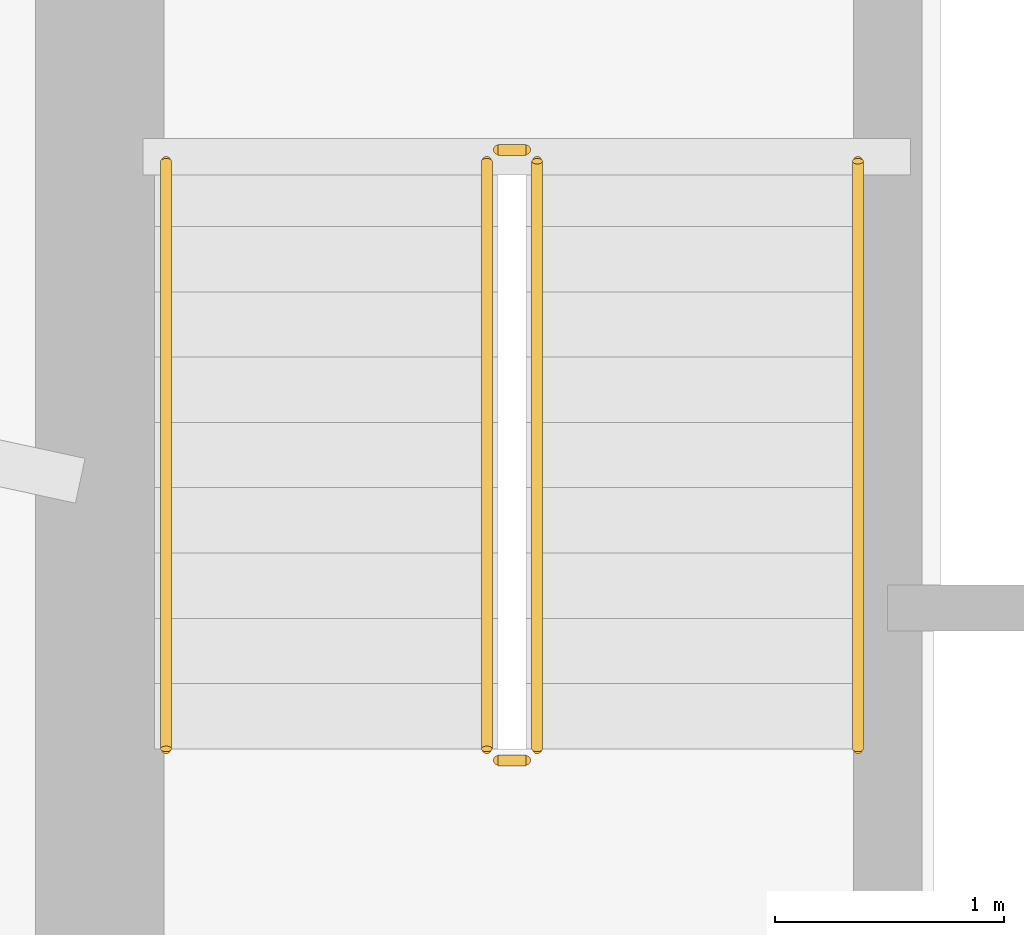
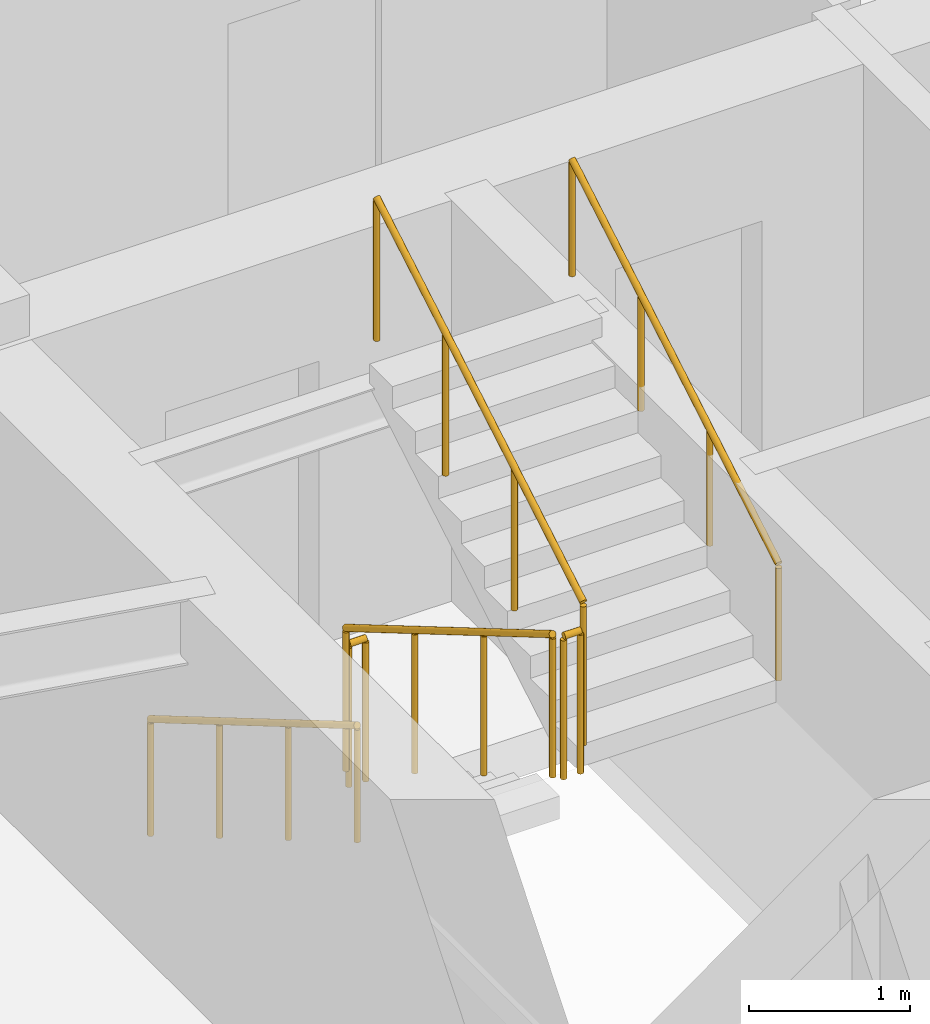
# One storey, part 20 of 22: 6 railings.
"""IFC4 building model written with IfcOpenShell, lengths in metres."""

from ifc_helpers import new_model, si_unit, direction, frame, origin, origin_2d, place, context, subcontext, project, spatial, circle, extrude, material, type_object, element, save


model = new_model("IFC4")

# Units and contexts
model_context = context("Model", 3, precision=1e-05, world=origin(), true_north=direction((0.0, 1.0)))
body_context = subcontext(model_context, "Body", "Model", "MODEL_VIEW")
ifc_project = project(units=[si_unit("LENGTHUNIT", "METRE"), si_unit("AREAUNIT", "SQUARE_METRE"), si_unit("VOLUMEUNIT", "CUBIC_METRE"), si_unit("PLANEANGLEUNIT", "RADIAN"), si_unit("MASSUNIT", "GRAM", prefix="KILO")], contexts=[model_context])

# Site, building, storey
site_placement = place(None, origin())
site = spatial("IfcSite", under=ifc_project, at=site_placement, CompositionType="ELEMENT")
building_placement = place(site_placement, origin())
building = spatial("IfcBuilding", under=site, at=building_placement, Name="Qobustan Lattice House", CompositionType="ELEMENT")
storey_placement = place(building_placement, frame((0.0, 0.0, 53.800048828125)))
storey = spatial("IfcBuildingStorey", under=building, at=storey_placement, Name="L14", CompositionType="ELEMENT", Elevation=53.800048828125)

# Railings
ifc_material_1 = material(Name="Brushed stainless steel handrail", Category="steel")
railing_type_1 = type_object("IfcRailingType", Name="RAL-HR-920", PredefinedType="HANDRAIL", material=ifc_material_1)
railing_1_placement = place(storey_placement, frame((-18.199951171875, 3.5, 0.16748046875)))
element("IfcRailing", 1, at=railing_1_placement, inside=storey, type_object=railing_type_1, Name="L14 ST-W1 stair handrail 1", PredefinedType="HANDRAIL", context=body_context, shape_type="SweptSolid", body=[
    extrude(circle(Radius=0.02392578125, at=origin_2d()), frame((0.0, 0.0, 0.8759765625), z_axis=(0.0, -0.862113467892, 0.50671527358), x_axis=(1.0, 0.0, 0.0)), (0.0, 0.0, 1.0), 2.97509765625),
    extrude(circle(Radius=0.02099609375, at=origin_2d()), origin(), (0.0, 0.0, 1.0), 0.851806640625),
    extrude(circle(Radius=0.02099609375, at=origin_2d()), frame((0.0, -0.85498046875, 0.50244140625)), (0.0, 0.0, 1.0), 0.851806640625),
    extrude(circle(Radius=0.02099609375, at=origin_2d()), frame((0.0, -1.7099609375, 1.005126953125)), (0.0, 0.0, 1.0), 0.851806640625),
    extrude(circle(Radius=0.02099609375, at=origin_2d()), frame((0.0, -2.56494140625, 1.507568359375)), (0.0, 0.0, 1.0), 0.851806640625),
])
railing_2_placement = place(storey_placement, frame((-15.179931640625, 0.93505859375, 1.842529296875)))
element("IfcRailing", 2, at=railing_2_placement, inside=storey, type_object=railing_type_1, Name="L14 ST-W1 stair handrail 2", PredefinedType="HANDRAIL", context=body_context, shape_type="SweptSolid", body=[
    extrude(circle(Radius=0.02392578125, at=origin_2d()), frame((0.0, 0.0, 0.8759765625), z_axis=(0.0, 0.862149314443, 0.506654280161), x_axis=(-1.0, 0.0, 0.0)), (0.0, 0.0, 1.0), 2.97509765625),
    extrude(circle(Radius=0.02099609375, at=origin_2d()), origin(), (0.0, 0.0, 1.0), 0.851806640625),
    extrude(circle(Radius=0.02099609375, at=origin_2d()), frame((0.0, 0.85498046875, 0.50244140625)), (0.0, 0.0, 1.0), 0.851806640625),
    extrude(circle(Radius=0.02099609375, at=origin_2d()), frame((0.0, 1.7099609375, 1.0048828125)), (0.0, 0.0, 1.0), 0.851806640625),
    extrude(circle(Radius=0.02099609375, at=origin_2d()), frame((0.0, 2.56494140625, 1.50732421875)), (0.0, 0.0, 1.0), 0.851806640625),
])
ifc_material_2 = material(Name="Painted galvanized steel guardrail", Category="steel")
railing_type_2 = type_object("IfcRailingType", Name="RAL-STG-1150", PredefinedType="GUARDRAIL", material=ifc_material_2)
railing_3_placement = place(storey_placement, frame((-16.800048828125, 3.5, 0.16748046875)))
element("IfcRailing", 3, at=railing_3_placement, inside=storey, type_object=railing_type_2, Name="L14 ST-W1 stair guard 1", PredefinedType="GUARDRAIL", context=body_context, shape_type="SweptSolid", body=[
    extrude(circle(Radius=0.02392578125, at=origin_2d()), frame((0.0, 0.0, 1.076171875), z_axis=(0.0, -0.862113467892, 0.50671527358), x_axis=(1.0, 0.0, 0.0)), (0.0, 0.0, 1.0), 2.97509765625),
    extrude(circle(Radius=0.02099609375, at=origin_2d()), origin(), (0.0, 0.0, 1.0), 1.052001953125),
    extrude(circle(Radius=0.02099609375, at=origin_2d()), frame((0.0, -0.85498046875, 0.50244140625)), (0.0, 0.0, 1.0), 1.052001953125),
    extrude(circle(Radius=0.02099609375, at=origin_2d()), frame((0.0, -1.7099609375, 1.005126953125)), (0.0, 0.0, 1.0), 1.052001953125),
    extrude(circle(Radius=0.02099609375, at=origin_2d()), frame((0.0, -2.56494140625, 1.507568359375)), (0.0, 0.0, 1.0), 1.052001953125),
])
railing_4_placement = place(storey_placement, frame((-16.75, 0.885009765625, 1.675048828125)))
element("IfcRailing", 4, at=railing_4_placement, inside=storey, type_object=railing_type_2, Name="L14 ST-W1 stair guard 2", PredefinedType="GUARDRAIL", context=body_context, shape_type="SweptSolid", body=[
    extrude(circle(Radius=0.02392578125, at=origin_2d()), frame((0.0, 0.0, 1.076171875), z_axis=(1.0, 0.0, 0.0), x_axis=(0.0, 1.0, 0.0)), (0.0, 0.0, 1.0), 0.1201171875),
    extrude(circle(Radius=0.02099609375, at=origin_2d()), origin(), (0.0, 0.0, 1.0), 1.052001953125),
    extrude(circle(Radius=0.02099609375, at=origin_2d()), frame((0.1201171875, 0.0, 0.0)), (0.0, 0.0, 1.0), 1.052001953125),
])
railing_5_placement = place(storey_placement, frame((-16.580078125, 0.93505859375, 1.842529296875)))
element("IfcRailing", 5, at=railing_5_placement, inside=storey, type_object=railing_type_2, Name="L14 ST-W1 stair guard 3", PredefinedType="GUARDRAIL", context=body_context, shape_type="SweptSolid", body=[
    extrude(circle(Radius=0.02392578125, at=origin_2d()), frame((0.0, 0.0, 1.076171875), z_axis=(0.0, 0.862149314443, 0.506654280161), x_axis=(-1.0, 0.0, 0.0)), (0.0, 0.0, 1.0), 2.97509765625),
    extrude(circle(Radius=0.02099609375, at=origin_2d()), origin(), (0.0, 0.0, 1.0), 1.052001953125),
    extrude(circle(Radius=0.02099609375, at=origin_2d()), frame((0.0, 0.85498046875, 0.50244140625)), (0.0, 0.0, 1.0), 1.052001953125),
    extrude(circle(Radius=0.02099609375, at=origin_2d()), frame((0.0, 1.7099609375, 1.0048828125)), (0.0, 0.0, 1.0), 1.052001953125),
    extrude(circle(Radius=0.02099609375, at=origin_2d()), frame((0.0, 2.56494140625, 1.50732421875)), (0.0, 0.0, 1.0), 1.052001953125),
])
railing_6_placement = place(storey_placement, frame((-16.75, 3.550048828125, 0.0)))
element("IfcRailing", 6, at=railing_6_placement, inside=storey, type_object=railing_type_2, Name="L14 ST-W1 stair guard 4", PredefinedType="GUARDRAIL", context=body_context, shape_type="SweptSolid", body=[
    extrude(circle(Radius=0.02392578125, at=origin_2d()), frame((0.0, 0.0, 1.076171875), z_axis=(1.0, 0.0, 0.0), x_axis=(0.0, 1.0, 0.0)), (0.0, 0.0, 1.0), 0.1201171875),
    extrude(circle(Radius=0.02099609375, at=origin_2d()), origin(), (0.0, 0.0, 1.0), 1.052001953125),
    extrude(circle(Radius=0.02099609375, at=origin_2d()), frame((0.1201171875, 0.0, 0.0)), (0.0, 0.0, 1.0), 1.052001953125),
])

save(model, "model.ifc")
